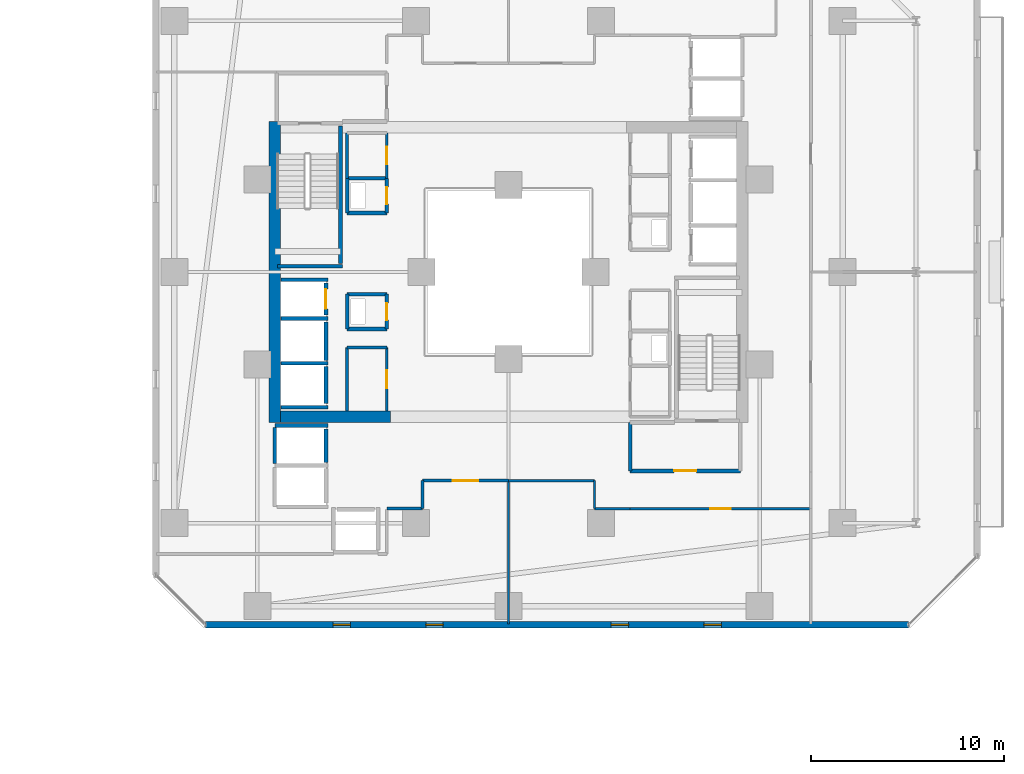
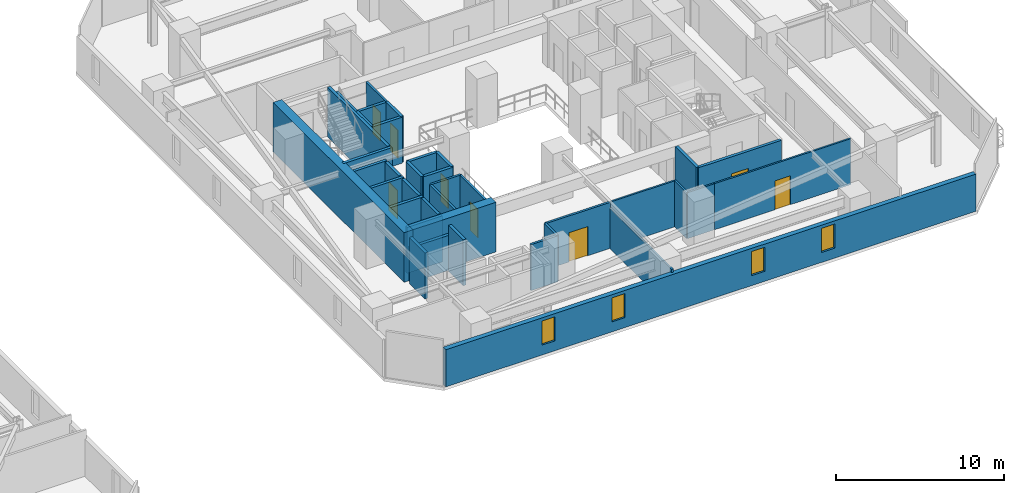
# One storey, part 24 of 34: 38 walls, 8 doors, 4 windows, 12 openings.
"""IFC4 building model written with IfcOpenShell, lengths in metres."""

from ifc_helpers import new_model, si_unit, direction, frame, frame_2d, origin, place, context, subcontext, project, spatial, rectangle, extrude, material, layer, layer_set, type_object, element, fill, save


model = new_model("IFC4")

# Units and contexts
model_context = context("Model", 3, precision=1e-05, world=origin(), true_north=direction((0.0, 1.0)))
body_context = subcontext(model_context, "Body", "Model", "MODEL_VIEW")
ifc_project = project(units=[si_unit("LENGTHUNIT", "METRE"), si_unit("AREAUNIT", "SQUARE_METRE"), si_unit("VOLUMEUNIT", "CUBIC_METRE"), si_unit("PLANEANGLEUNIT", "RADIAN"), si_unit("MASSUNIT", "GRAM", prefix="KILO")], contexts=[model_context])

# Site, building, storey
site_placement = place(None, origin())
site = spatial("IfcSite", under=ifc_project, at=site_placement, CompositionType="ELEMENT")
building_placement = place(site_placement, origin())
building = spatial("IfcBuilding", under=site, at=building_placement, Name="Thornwick Lancets Civic Towers", CompositionType="ELEMENT")
storey_placement = place(building_placement, frame((0.0, 0.0, 57.300048828125)))
storey = spatial("IfcBuildingStorey", under=building, at=storey_placement, Name="L14", CompositionType="ELEMENT", Elevation=57.300048828125)

# Wall, opening, door
ifc_material_1 = material(Name="Concrete blockwork C40/50", Category="masonry")
ifc_layer_1 = layer(ifc_material_1, 0.199951171875, Name="Concrete blockwork C40/50")
ifc_layer_set_1 = layer_set([ifc_layer_1], Name="Concrete blockwork C40/50")
wall_type_1 = type_object("IfcWallType", Name="WALL_COMP_200", PredefinedType="STANDARD", material=ifc_layer_set_1)
wall_1_placement = place(storey_placement, frame((79.050048828125, 24.780029296875, 0.0), z_axis=(0.0, 0.0, 1.0), x_axis=(0.0, 1.0, 0.0)))
wall_1 = element("IfcWall", 1, at=wall_1_placement, inside=storey, type_object=wall_type_1, Name="L14 Hoistway Front Wall FL-B2", PredefinedType="STANDARD", context=body_context, shape_type="SweptSolid", body=[
    extrude(rectangle(XDim=1.639892578125, YDim=0.199951171875, at=frame_2d((0.81982421875, 0.0))), origin(), (0.0, 0.0, 1.0), 3.33984375),
])
opening_1_placement = place(wall_1_placement, frame((0.31005859375, 0.0, 0.0)))
opening_1 = element("IfcOpeningElement", 2, at=opening_1_placement, cuts=wall_1, Name="Opening LD-FL-B2", PredefinedType="OPENING", context=body_context, shape_type="SweptSolid", body=[
    extrude(rectangle(XDim=1.02001953125, YDim=2.06005859375, at=frame_2d((0.510009765625, 1.030029296875))), frame((0.0, 0.10986328125, 0.0), z_axis=(0.0, -1.0, 0.0), x_axis=(1.0, 0.0, 0.0)), (0.0, 0.0, 1.0), 0.219970703125),
])
ifc_material_2 = material(Name="Brushed bronze stainless steel", Category="steel")
door_type_1 = type_object("IfcDoorType", Name="DOOR_LIFT_SLIDE", OperationType="SLIDING_TO_LEFT", PredefinedType="DOOR", material=ifc_material_2)
door_1_placement = place(opening_1_placement, origin())
door_1 = element("IfcDoor", 3, at=door_1_placement, inside=storey, type_object=door_type_1, Name="L14 Sliding Lift Landing Door LD-FL-B2", OperationType="SLIDING_TO_LEFT", OverallHeight=2.06005859375, OverallWidth=1.02001953125, PredefinedType="DOOR", context=body_context, shape_type="SweptSolid", body=[
    extrude(rectangle(XDim=1.02001953125, YDim=2.06005859375, at=frame_2d((0.510009765625, 1.030029296875))), frame((0.0, 0.02490234375, 0.0), z_axis=(0.0, -1.0, 0.0), x_axis=(1.0, 0.0, 0.0)), (0.0, 0.0, 1.0), 0.050048828125),
])
fill(opening_1, door_1)

# Walls
wall_2_placement = place(storey_placement, frame((79.050048828125, 22.429931640625, 0.0), z_axis=(0.0, 0.0, 1.0), x_axis=(0.0, 1.0, 0.0)))
element("IfcWall", 4, at=wall_2_placement, inside=storey, type_object=wall_type_1, Name="L14 Hoistway Front Wall PL-BH2", PredefinedType="STANDARD", context=body_context, shape_type="SweptSolid", body=[
    extrude(rectangle(XDim=1.989990234375, YDim=0.199951171875, at=frame_2d((0.9951171875, 0.0))), origin(), (0.0, 0.0, 1.0), 3.33984375),
])
wall_3_placement = place(storey_placement, frame((79.050048828125, 20.179931640625, 0.0), z_axis=(0.0, 0.0, 1.0), x_axis=(0.0, 1.0, 0.0)))
element("IfcWall", 5, at=wall_3_placement, inside=storey, type_object=wall_type_1, Name="L14 Hoistway Front Wall PL-BH3", PredefinedType="STANDARD", context=body_context, shape_type="SweptSolid", body=[
    extrude(rectangle(XDim=1.940185546875, YDim=0.199951171875, at=frame_2d((0.97021484375, 0.0))), origin(), (0.0, 0.0, 1.0), 3.33984375),
])
wall_4_placement = place(storey_placement, frame((79.050048828125, 17.1298828125, 0.0), z_axis=(0.0, 0.0, 1.0), x_axis=(0.0, 1.0, 0.0)))
element("IfcWall", 6, at=wall_4_placement, inside=storey, type_object=wall_type_1, Name="L14 Hoistway Front Wall PL-BM1", PredefinedType="STANDARD", context=body_context, shape_type="SweptSolid", body=[
    extrude(rectangle(XDim=1.740234375, YDim=0.199951171875, at=frame_2d((0.8701171875, 0.0))), origin(), (0.0, 0.0, 1.0), 3.33984375),
])
for number, where, z_axis, x_axis, name in (
    (7, (76.7119140625, 26.60009765625, 0.0), (0.0, 0.0, 1.0), (1.0, 0.0, 0.0), "L14 Hoistway Shaft Wall FL-B2 N"),
    (8, (76.7119140625, 24.60009765625, 0.0), (0.0, 0.0, 1.0), (1.0, 0.0, 0.0), "L14 Hoistway Shaft Wall FL-B2 S"),
    (9, (76.7119140625, 22.27490234375, 0.0), (0.0, 0.0, 1.0), (1.0, 0.0, 0.0), "L14 Hoistway Shaft Wall PL-BH2 S"),
    (10, (76.7119140625, 20.0, 0.0), (0.0, 0.0, 1.0), (1.0, 0.0, 0.0), "L14 Hoistway Shaft Wall PL-BH3 S"),
):
    element("IfcWall", number, at=place(storey_placement, frame(where, z_axis=z_axis, x_axis=x_axis)), inside=storey, type_object=wall_type_1, Name=name, PredefinedType="STANDARD", context=body_context, shape_type="SweptSolid", body=[
        extrude(rectangle(XDim=2.43603515625, YDim=0.199951171875, at=frame_2d((1.218017578125, 0.0))), origin(), (0.0, 0.0, 1.0), 3.33984375),
    ])
wall_5_placement = place(storey_placement, frame((76.402099609375, 19.050048828125, 0.0), z_axis=(0.0, 0.0, 1.0), x_axis=(1.0, 0.0, 0.0)))
element("IfcWall", 11, at=wall_5_placement, inside=storey, type_object=wall_type_1, Name="L14 Hoistway Shaft Wall PL-BM1 N", PredefinedType="STANDARD", context=body_context, shape_type="SweptSolid", body=[
    extrude(rectangle(XDim=2.745849609375, YDim=0.199951171875, at=frame_2d((1.373046875, 0.0))), origin(), (0.0, 0.0, 1.0), 2.544921875),
])
wall_6_placement = place(storey_placement, frame((76.39990234375, 17.08203125, 0.0), z_axis=(0.0, 0.0, 1.0), x_axis=(0.0, 1.0, 0.0)))
element("IfcWall", 12, at=wall_6_placement, inside=storey, type_object=wall_type_1, Name="L14 Hoistway Shaft Wall PL-BM1 W", PredefinedType="STANDARD", context=body_context, shape_type="SweptSolid", body=[
    extrude(rectangle(XDim=1.85595703125, YDim=0.199951171875, at=frame_2d((0.927978515625, 0.0))), origin(), (0.0, 0.0, 1.0), 3.33984375),
])

# Wall, opening, door
wall_7_placement = place(storey_placement, frame((94.800048828125, 16.699951171875, 0.0), z_axis=(0.0, 0.0, 1.0), x_axis=(1.0, 0.0, 0.0)))
wall_7 = element("IfcWall", 13, at=wall_7_placement, inside=storey, type_object=wall_type_1, Name="L14 Partition L14-B-FFLOB1 E1", PredefinedType="STANDARD", context=body_context, shape_type="SweptSolid", body=[
    extrude(rectangle(XDim=5.699951171875, YDim=0.199951171875, at=frame_2d((2.85009765625, 0.0))), origin(), (0.0, 0.0, 1.0), 3.33984375),
])
opening_2_placement = place(wall_7_placement, frame((2.27490234375, 0.0, 0.0)))
opening_2 = element("IfcOpeningElement", 14, at=opening_2_placement, cuts=wall_7, Name="Opening D-L14-0675", PredefinedType="OPENING", context=body_context, shape_type="SweptSolid", body=[
    extrude(rectangle(XDim=1.14990234375, YDim=2.10009765625, at=frame_2d((0.574951171875, 1.050048828125))), frame((0.0, 0.10986328125, 0.0), z_axis=(0.0, -1.0, 0.0), x_axis=(1.0, 0.0, 0.0)), (0.0, 0.0, 1.0), 0.219970703125),
])
ifc_material_3 = material(Name="Glazed fire-resisting steel", Category="steel")
door_type_2 = type_object("IfcDoorType", Name="DOOR_LOBBY_FD60", OperationType="NOTDEFINED", PredefinedType="DOOR", material=ifc_material_3)
door_2_placement = place(opening_2_placement, origin())
door_2 = element("IfcDoor", 15, at=door_2_placement, inside=storey, type_object=door_type_2, Name="L14 East Firefighting Lobby 1 Door", OperationType="SINGLE_SWING_RIGHT", OverallHeight=2.10009765625, OverallWidth=1.14990234375, PredefinedType="DOOR", context=body_context, shape_type="SweptSolid", body=[
    extrude(rectangle(XDim=1.14990234375, YDim=2.10009765625, at=frame_2d((0.574951171875, 1.050048828125))), frame((0.0, 0.02490234375, 0.0), z_axis=(0.0, -1.0, 0.0), x_axis=(1.0, 0.0, 0.0)), (0.0, 0.0, 1.0), 0.050048828125),
])
fill(opening_2, door_2)

# Walls
wall_8_placement = place(storey_placement, frame((94.800048828125, 19.199951171875, 0.0), z_axis=(0.0, 0.0, 1.0), x_axis=(0.0, -1.0, 0.0)))
element("IfcWall", 16, at=wall_8_placement, inside=storey, type_object=wall_type_1, Name="L14 Partition L14-B-FFLOB1 E4", PredefinedType="STANDARD", context=body_context, shape_type="SweptSolid", body=[
    extrude(rectangle(XDim=2.5, YDim=0.199951171875, at=frame_2d((1.25, 0.0))), origin(), (0.0, 0.0, 1.0), 3.33984375),
])
wall_9_placement = place(storey_placement, frame((80.14990234375, 24.050048828125, 0.0), z_axis=(0.0, 0.0, 1.0), x_axis=(1.0, 0.0, 0.0)))
element("IfcWall", 17, at=wall_9_placement, inside=storey, type_object=wall_type_1, Name="L14 Partition L14-B-DUCT2 E1", PredefinedType="STANDARD", context=body_context, shape_type="SweptSolid", body=[
    extrude(rectangle(XDim=2.050048828125, YDim=0.199951171875, at=frame_2d((1.02490234375, 0.0))), origin(), (0.0, 0.0, 1.0), 3.33984375),
])

# Wall, opening, door
wall_10_placement = place(storey_placement, frame((82.199951171875, 24.050048828125, 0.0), z_axis=(0.0, 0.0, 1.0), x_axis=(0.0, 1.0, 0.0)))
wall_10 = element("IfcWall", 18, at=wall_10_placement, inside=storey, type_object=wall_type_1, Name="L14 Partition L14-B-DUCT2 E2", PredefinedType="STANDARD", context=body_context, shape_type="SweptSolid", body=[
    extrude(rectangle(XDim=1.800048828125, YDim=0.199951171875, at=frame_2d((0.89990234375, 0.0))), origin(), (0.0, 0.0, 1.0), 3.33984375),
])
opening_3_placement = place(wall_10_placement, frame((0.4599609375, 0.0, 0.0)))
opening_3 = element("IfcOpeningElement", 19, at=opening_3_placement, cuts=wall_10, Name="Opening D-L14-0679", PredefinedType="OPENING", context=body_context, shape_type="SweptSolid", body=[
    extrude(rectangle(XDim=0.8798828125, YDim=2.0400390625, at=frame_2d((0.43994140625, 1.02001953125))), frame((0.0, 0.10986328125, 0.0), z_axis=(0.0, -1.0, 0.0), x_axis=(1.0, 0.0, 0.0)), (0.0, 0.0, 1.0), 0.219970703125),
])
ifc_material_4 = material(Name="Steel riser access doorset", Category="steel")
door_type_3 = type_object("IfcDoorType", Name="DOOR_RISER_850", OperationType="NOTDEFINED", PredefinedType="DOOR", material=ifc_material_4)
door_3_placement = place(opening_3_placement, origin())
door_3 = element("IfcDoor", 20, at=door_3_placement, inside=storey, type_object=door_type_3, Name="L14 West Service Duct 2 Door", OperationType="SINGLE_SWING_RIGHT", OverallHeight=2.0400390625, OverallWidth=0.8798828125, PredefinedType="DOOR", context=body_context, shape_type="SweptSolid", body=[
    extrude(rectangle(XDim=0.8798828125, YDim=2.0400390625, at=frame_2d((0.43994140625, 1.02001953125))), frame((0.0, 0.02490234375, 0.0), z_axis=(0.0, -1.0, 0.0), x_axis=(1.0, 0.0, 0.0)), (0.0, 0.0, 1.0), 0.050048828125),
])
fill(opening_3, door_3)

# Walls
wall_11_placement = place(storey_placement, frame((82.199951171875, 25.85009765625, 0.0), z_axis=(0.0, 0.0, 1.0), x_axis=(-1.0, 0.0, 0.0)))
element("IfcWall", 21, at=wall_11_placement, inside=storey, type_object=wall_type_1, Name="L14 Partition L14-B-DUCT2 E3", PredefinedType="STANDARD", context=body_context, shape_type="SweptSolid", body=[
    extrude(rectangle(XDim=2.050048828125, YDim=0.199951171875, at=frame_2d((1.02490234375, 0.0))), origin(), (0.0, 0.0, 1.0), 3.33984375),
])
wall_12_placement = place(storey_placement, frame((80.14990234375, 25.85009765625, 0.0), z_axis=(0.0, 0.0, 1.0), x_axis=(0.0, -1.0, 0.0)))
element("IfcWall", 22, at=wall_12_placement, inside=storey, type_object=wall_type_1, Name="L14 Partition L14-B-DUCT2 E4", PredefinedType="STANDARD", context=body_context, shape_type="SweptSolid", body=[
    extrude(rectangle(XDim=1.800048828125, YDim=0.199951171875, at=frame_2d((0.89990234375, 0.0))), origin(), (0.0, 0.0, 1.0), 3.33984375),
])
wall_13_placement = place(storey_placement, frame((80.14990234375, 30.050048828125, 0.0), z_axis=(0.0, 0.0, 1.0), x_axis=(1.0, 0.0, 0.0)))
element("IfcWall", 23, at=wall_13_placement, inside=storey, type_object=wall_type_1, Name="L14 Partition L14-B-RISER2 E1", PredefinedType="STANDARD", context=body_context, shape_type="SweptSolid", body=[
    extrude(rectangle(XDim=2.050048828125, YDim=0.199951171875, at=frame_2d((1.02490234375, 0.0))), origin(), (0.0, 0.0, 1.0), 3.33984375),
])

# Wall, opening, door
wall_14_placement = place(storey_placement, frame((82.199951171875, 30.050048828125, 0.0), z_axis=(0.0, 0.0, 1.0), x_axis=(0.0, 1.0, 0.0)))
wall_14 = element("IfcWall", 24, at=wall_14_placement, inside=storey, type_object=wall_type_1, Name="L14 Partition L14-B-RISER2 E2", PredefinedType="STANDARD", context=body_context, shape_type="SweptSolid", body=[
    extrude(rectangle(XDim=1.800048828125, YDim=0.199951171875, at=frame_2d((0.89990234375, 0.0))), origin(), (0.0, 0.0, 1.0), 3.33984375),
])
opening_4_placement = place(wall_14_placement, frame((0.4599609375, 0.0, 0.0)))
opening_4 = element("IfcOpeningElement", 25, at=opening_4_placement, cuts=wall_14, Name="Opening D-L14-0680", PredefinedType="OPENING", context=body_context, shape_type="SweptSolid", body=[
    extrude(rectangle(XDim=0.8798828125, YDim=2.0400390625, at=frame_2d((0.43994140625, 1.02001953125))), frame((0.0, 0.10986328125, 0.0), z_axis=(0.0, -1.0, 0.0), x_axis=(1.0, 0.0, 0.0)), (0.0, 0.0, 1.0), 0.219970703125),
])
door_4_placement = place(opening_4_placement, origin())
door_4 = element("IfcDoor", 26, at=door_4_placement, inside=storey, type_object=door_type_3, Name="L14 West Service Riser 2 Door", OperationType="SINGLE_SWING_LEFT", OverallHeight=2.0400390625, OverallWidth=0.8798828125, PredefinedType="DOOR", context=body_context, shape_type="SweptSolid", body=[
    extrude(rectangle(XDim=0.8798828125, YDim=2.0400390625, at=frame_2d((0.43994140625, 1.02001953125))), frame((0.0, 0.02490234375, 0.0), z_axis=(0.0, -1.0, 0.0), x_axis=(1.0, 0.0, 0.0)), (0.0, 0.0, 1.0), 0.050048828125),
])
fill(opening_4, door_4)

# Walls
wall_15_placement = place(storey_placement, frame((82.199951171875, 31.85009765625, 0.0), z_axis=(0.0, 0.0, 1.0), x_axis=(-1.0, 0.0, 0.0)))
element("IfcWall", 27, at=wall_15_placement, inside=storey, type_object=wall_type_1, Name="L14 Partition L14-B-RISER2 E3", PredefinedType="STANDARD", context=body_context, shape_type="SweptSolid", body=[
    extrude(rectangle(XDim=2.050048828125, YDim=0.199951171875, at=frame_2d((1.02490234375, 0.0))), origin(), (0.0, 0.0, 1.0), 3.33984375),
])
wall_16_placement = place(storey_placement, frame((80.14990234375, 31.85009765625, 0.0), z_axis=(0.0, 0.0, 1.0), x_axis=(0.0, -1.0, 0.0)))
element("IfcWall", 28, at=wall_16_placement, inside=storey, type_object=wall_type_1, Name="L14 Partition L14-B-RISER2 E4", PredefinedType="STANDARD", context=body_context, shape_type="SweptSolid", body=[
    extrude(rectangle(XDim=1.800048828125, YDim=0.199951171875, at=frame_2d((0.89990234375, 0.0))), origin(), (0.0, 0.0, 1.0), 3.33984375),
])
ifc_material_5 = material(Name="Concrete C60/75", Category="concrete")
ifc_layer_2 = layer(ifc_material_5, 0.60009765625, Name="Concrete C60/75")
ifc_layer_set_2 = layer_set([ifc_layer_2], Name="Concrete C60/75")
wall_type_2 = type_object("IfcWallType", Name="WALL_CORE_600", PredefinedType="SHEAR", material=ifc_layer_set_2)
wall_17_placement = place(storey_placement, frame((76.39990234375, 19.199951171875, 0.0), z_axis=(0.0, 0.0, 1.0), x_axis=(0.0, 1.0, 0.0)))
element("IfcWall", 29, at=wall_17_placement, inside=storey, type_object=wall_type_2, Name="L14 Split Core B2 Shear Wall W", PredefinedType="SHEAR", context=body_context, shape_type="SweptSolid", body=[
    extrude(rectangle(XDim=15.60009765625, YDim=0.60009765625, at=frame_2d((7.800048828125, 0.0))), origin(), (0.0, 0.0, 1.0), 3.599853515625),
])
wall_18_placement = place(storey_placement, frame((76.699951171875, 19.5, 0.0), z_axis=(0.0, 0.0, 1.0), x_axis=(1.0, 0.0, 0.0)))
element("IfcWall", 30, at=wall_18_placement, inside=storey, type_object=wall_type_2, Name="L14 Split Core B2 Shear Wall S", PredefinedType="SHEAR", context=body_context, shape_type="SweptSolid", body=[
    extrude(rectangle(XDim=5.699951171875, YDim=0.60009765625, at=frame_2d((2.85009765625, 0.0))), origin(), (0.0, 0.0, 1.0), 3.599853515625),
])

# Wall, openings, windows
ifc_material_6 = material(Name="Insulated buff terracotta rainscreen on concrete C40/50", Category="masonry")
ifc_layer_3 = layer(ifc_material_6, 0.320068359375, Name="Insulated buff terracotta rainscreen on concrete C40/50")
ifc_layer_set_3 = layer_set([ifc_layer_3], Name="Insulated buff terracotta rainscreen on concrete C40/50")
wall_type_3 = type_object("IfcWallType", Name="WALL_EXT_TERRA_320", PredefinedType="STANDARD", material=ifc_layer_set_3)
wall_19_placement = place(storey_placement, frame((72.81884765625, 8.735107421875, 0.0), z_axis=(0.0, 0.0, 1.0), x_axis=(0.999999996195, 8.7231344e-05, 0.0)))
wall_19 = element("IfcWall", 31, at=wall_19_placement, inside=storey, type_object=wall_type_3, Name="L14 Tower B Terracotta Facade Wall E0", PredefinedType="STANDARD", context=body_context, shape_type="SweptSolid", body=[
    extrude(rectangle(XDim=36.384033203125, YDim=0.320068359375, at=frame_2d((18.19189453125, 0.0))), origin(), (0.0, 0.0, 1.0), 2.699951171875),
])
opening_5_placement = place(wall_19_placement, frame((6.60009765625, 0.0, 0.719970703125)))
opening_5 = element("IfcOpeningElement", 32, at=opening_5_placement, cuts=wall_19, Name="Opening WL-01", PredefinedType="OPENING", context=body_context, shape_type="SweptSolid", body=[
    extrude(rectangle(XDim=0.89990234375, YDim=1.75, at=frame_2d((0.449951171875, 0.875))), frame((0.0, 0.169921875, 0.0), z_axis=(0.0, -1.0, 0.0), x_axis=(1.0, 0.0, 0.0)), (0.0, 0.0, 1.0), 0.340087890625),
])
opening_6_placement = place(wall_19_placement, frame((11.39990234375, 0.0, 0.719970703125)))
opening_6 = element("IfcOpeningElement", 33, at=opening_6_placement, cuts=wall_19, Name="Opening WL-01", PredefinedType="OPENING", context=body_context, shape_type="SweptSolid", body=[
    extrude(rectangle(XDim=0.89990234375, YDim=1.75, at=frame_2d((0.449951171875, 0.875))), frame((0.0, 0.169921875, 0.0), z_axis=(0.0, -1.0, 0.0), x_axis=(1.0, 0.0, 0.0)), (0.0, 0.0, 1.0), 0.340087890625),
])
opening_7_placement = place(wall_19_placement, frame((21.0, 0.0, 0.719970703125)))
opening_7 = element("IfcOpeningElement", 34, at=opening_7_placement, cuts=wall_19, Name="Opening WL-01", PredefinedType="OPENING", context=body_context, shape_type="SweptSolid", body=[
    extrude(rectangle(XDim=0.89990234375, YDim=1.75, at=frame_2d((0.449951171875, 0.875))), frame((0.0, 0.169921875, 0.0), z_axis=(0.0, -1.0, 0.0), x_axis=(1.0, 0.0, 0.0)), (0.0, 0.0, 1.0), 0.340087890625),
])
opening_8_placement = place(wall_19_placement, frame((25.800048828125, 0.0, 0.719970703125)))
opening_8 = element("IfcOpeningElement", 35, at=opening_8_placement, cuts=wall_19, Name="Opening WL-01", PredefinedType="OPENING", context=body_context, shape_type="SweptSolid", body=[
    extrude(rectangle(XDim=0.89990234375, YDim=1.75, at=frame_2d((0.449951171875, 0.875))), frame((0.0, 0.169921875, 0.0), z_axis=(0.0, -1.0, 0.0), x_axis=(1.0, 0.0, 0.0)), (0.0, 0.0, 1.0), 0.340087890625),
])
ifc_material_7 = material(Name="Clear low-e double glazing in bronze frame", Category="glass")
window_type = type_object("IfcWindowType", Name="WIN_LANCET_900", PartitioningType="SINGLE_PANEL", PredefinedType="WINDOW", material=ifc_material_7)
window_1_placement = place(opening_5_placement, origin())
window_1 = element("IfcWindow", 36, at=window_1_placement, inside=storey, type_object=window_type, Name="L14 Tower B Staggered Lancet Window E0-1", OverallHeight=1.75, OverallWidth=0.89990234375, PartitioningType="SINGLE_PANEL", PredefinedType="WINDOW", context=body_context, shape_type="SweptSolid", body=[
    extrude(rectangle(XDim=0.89990234375, YDim=1.75, at=frame_2d((0.449951171875, 0.875))), frame((0.0, 0.030029296875, 0.0), z_axis=(0.0, -1.0, 0.0), x_axis=(1.0, 0.0, 0.0)), (0.0, 0.0, 1.0), 0.06005859375),
])
fill(opening_5, window_1)
window_2_placement = place(opening_6_placement, origin())
window_2 = element("IfcWindow", 37, at=window_2_placement, inside=storey, type_object=window_type, Name="L14 Tower B Staggered Lancet Window E0-2", OverallHeight=1.75, OverallWidth=0.89990234375, PartitioningType="SINGLE_PANEL", PredefinedType="WINDOW", context=body_context, shape_type="SweptSolid", body=[
    extrude(rectangle(XDim=0.89990234375, YDim=1.75, at=frame_2d((0.449951171875, 0.875))), frame((0.0, 0.030029296875, 0.0), z_axis=(0.0, -1.0, 0.0), x_axis=(1.0, 0.0, 0.0)), (0.0, 0.0, 1.0), 0.06005859375),
])
fill(opening_6, window_2)
window_3_placement = place(opening_7_placement, origin())
window_3 = element("IfcWindow", 38, at=window_3_placement, inside=storey, type_object=window_type, Name="L14 Tower B Staggered Lancet Window E0-3", OverallHeight=1.75, OverallWidth=0.89990234375, PartitioningType="SINGLE_PANEL", PredefinedType="WINDOW", context=body_context, shape_type="SweptSolid", body=[
    extrude(rectangle(XDim=0.89990234375, YDim=1.75, at=frame_2d((0.449951171875, 0.875))), frame((0.0, 0.030029296875, 0.0), z_axis=(0.0, -1.0, 0.0), x_axis=(1.0, 0.0, 0.0)), (0.0, 0.0, 1.0), 0.06005859375),
])
fill(opening_7, window_3)
window_4_placement = place(opening_8_placement, origin())
window_4 = element("IfcWindow", 39, at=window_4_placement, inside=storey, type_object=window_type, Name="L14 Tower B Staggered Lancet Window E0-4", OverallHeight=1.75, OverallWidth=0.89990234375, PartitioningType="SINGLE_PANEL", PredefinedType="WINDOW", context=body_context, shape_type="SweptSolid", body=[
    extrude(rectangle(XDim=0.89990234375, YDim=1.75, at=frame_2d((0.449951171875, 0.875))), frame((0.0, 0.030029296875, 0.0), z_axis=(0.0, -1.0, 0.0), x_axis=(1.0, 0.0, 0.0)), (0.0, 0.0, 1.0), 0.06005859375),
])
fill(opening_8, window_4)

# Walls
ifc_material_8 = material(Name="Acoustic gypsum board partition")
ifc_layer_4 = layer(ifc_material_8, 0.1201171875, Name="Acoustic gypsum board partition")
ifc_layer_set_4 = layer_set([ifc_layer_4], Name="Acoustic gypsum board partition")
wall_type_4 = type_object("IfcWallType", Name="WALL_PART_120", PredefinedType="PARTITIONING", material=ifc_layer_set_4)
wall_20_placement = place(storey_placement, frame((92.949951171875, 16.199951171875, 0.0), z_axis=(0.0, 0.0, 1.0), x_axis=(0.0, -1.0, 0.0)))
element("IfcWall", 40, at=wall_20_placement, inside=storey, type_object=wall_type_4, Name="L14 Partition L14-B-W1 E1", PredefinedType="PARTITIONING", context=body_context, shape_type="SweptSolid", body=[
    extrude(rectangle(XDim=1.449951171875, YDim=0.1201171875, at=frame_2d((0.72509765625, 0.0))), origin(), (0.0, 0.0, 1.0), 3.33984375),
])
wall_21_placement = place(storey_placement, frame((92.949951171875, 14.75, 0.0), z_axis=(0.0, 0.0, 1.0), x_axis=(1.0, 0.0, 0.0)))
element("IfcWall", 41, at=wall_21_placement, inside=storey, type_object=wall_type_4, Name="L14 Partition L14-B-W1 E2", PredefinedType="PARTITIONING", context=body_context, shape_type="SweptSolid", body=[
    extrude(rectangle(XDim=1.85009765625, YDim=0.1201171875, at=frame_2d((0.925048828125, 0.0))), origin(), (0.0, 0.0, 1.0), 3.33984375),
])

# Wall, opening, door
wall_22_placement = place(storey_placement, frame((94.800048828125, 14.75, 0.0), z_axis=(0.0, 0.0, 1.0), x_axis=(1.0, 0.0, 0.0)))
wall_22 = element("IfcWall", 42, at=wall_22_placement, inside=storey, type_object=wall_type_4, Name="L14 Partition L14-B-W1 E3", PredefinedType="PARTITIONING", context=body_context, shape_type="SweptSolid", body=[
    extrude(rectangle(XDim=9.349853515625, YDim=0.1201171875, at=frame_2d((4.6748046875, 0.0))), origin(), (0.0, 0.0, 1.0), 3.33984375),
])
opening_9_placement = place(wall_22_placement, frame((4.14990234375, 0.0, 0.0)))
opening_9 = element("IfcOpeningElement", 43, at=opening_9_placement, cuts=wall_22, Name="Opening D-L14-0693", PredefinedType="OPENING", context=body_context, shape_type="SweptSolid", body=[
    extrude(rectangle(XDim=1.050048828125, YDim=2.10009765625, at=frame_2d((0.52490234375, 1.050048828125))), frame((0.0, 0.070068359375, 0.0), z_axis=(0.0, -1.0, 0.0), x_axis=(1.0, 0.0, 0.0)), (0.0, 0.0, 1.0), 0.14013671875),
])
ifc_material_9 = material(Name="Glazed European oak executive doorset")
door_type_4 = type_object("IfcDoorType", Name="DOOR_OFFICE_1050", OperationType="NOTDEFINED", PredefinedType="DOOR", material=ifc_material_9)
door_5_placement = place(opening_9_placement, origin())
door_5 = element("IfcDoor", 44, at=door_5_placement, inside=storey, type_object=door_type_4, Name="L14 Tower B Ministry Directorate Office W1 Door", OperationType="SINGLE_SWING_RIGHT", OverallHeight=2.10009765625, OverallWidth=1.050048828125, PredefinedType="DOOR", context=body_context, shape_type="SweptSolid", body=[
    extrude(rectangle(XDim=1.050048828125, YDim=2.10009765625, at=frame_2d((0.52490234375, 1.050048828125))), frame((0.0, 0.02490234375, 0.0), z_axis=(0.0, -1.0, 0.0), x_axis=(1.0, 0.0, 0.0)), (0.0, 0.0, 1.0), 0.050048828125),
])
fill(opening_9, door_5)

# Walls
wall_23_placement = place(storey_placement, frame((88.5, 8.780029296875, 0.0), z_axis=(0.0, 0.0, 1.0), x_axis=(0.0, 1.0, 0.0)))
element("IfcWall", 45, at=wall_23_placement, inside=storey, type_object=wall_type_4, Name="L14 Partition L14-B-W1 E6", PredefinedType="PARTITIONING", context=body_context, shape_type="SweptSolid", body=[
    extrude(rectangle(XDim=7.419921875, YDim=0.1201171875, at=frame_2d((3.7099609375, 0.0))), origin(), (0.0, 0.0, 1.0), 2.93212890625),
])
wall_24_placement = place(storey_placement, frame((88.5, 16.199951171875, 0.0), z_axis=(0.0, 0.0, 1.0), x_axis=(1.0, 0.0, 0.0)))
element("IfcWall", 46, at=wall_24_placement, inside=storey, type_object=wall_type_4, Name="L14 Partition L14-B-W1 E7", PredefinedType="PARTITIONING", context=body_context, shape_type="SweptSolid", body=[
    extrude(rectangle(XDim=4.449951171875, YDim=0.1201171875, at=frame_2d((2.22509765625, 0.0))), origin(), (0.0, 0.0, 1.0), 3.33984375),
])

# Wall, opening, door
ifc_material_10 = material(Name="Twin-stud acoustic gypsum board")
ifc_layer_5 = layer(ifc_material_10, 0.14990234375, Name="Twin-stud acoustic gypsum board")
ifc_layer_set_5 = layer_set([ifc_layer_5], Name="Twin-stud acoustic gypsum board")
wall_type_5 = type_object("IfcWallType", Name="WALL_PART_150", PredefinedType="PARTITIONING", material=ifc_layer_set_5)
wall_25_placement = place(storey_placement, frame((82.199951171875, 19.800048828125, 0.0), z_axis=(0.0, 0.0, 1.0), x_axis=(0.0, 1.0, 0.0)))
wall_25 = element("IfcWall", 47, at=wall_25_placement, inside=storey, type_object=wall_type_5, Name="L14 Partition L14-B-MWC E2", PredefinedType="PARTITIONING", context=body_context, shape_type="SweptSolid", body=[
    extrude(rectangle(XDim=3.300048828125, YDim=0.14990234375, at=frame_2d((1.64990234375, 0.0))), origin(), (0.0, 0.0, 1.0), 3.33984375),
])
opening_10_placement = place(wall_25_placement, frame((1.18994140625, 0.0, 0.0)))
opening_10 = element("IfcOpeningElement", 48, at=opening_10_placement, cuts=wall_25, Name="Opening D-L14-0685", PredefinedType="OPENING", context=body_context, shape_type="SweptSolid", body=[
    extrude(rectangle(XDim=0.919921875, YDim=2.080078125, at=frame_2d((0.4599609375, 1.0400390625))), frame((0.0, 0.0849609375, 0.0), z_axis=(0.0, -1.0, 0.0), x_axis=(1.0, 0.0, 0.0)), (0.0, 0.0, 1.0), 0.169921875),
])
ifc_material_11 = material(Name="Moisture-resistant oak doorset")
door_type_5 = type_object("IfcDoorType", Name="DOOR_WC_900", OperationType="NOTDEFINED", PredefinedType="DOOR", material=ifc_material_11)
door_6_placement = place(opening_10_placement, origin())
door_6 = element("IfcDoor", 49, at=door_6_placement, inside=storey, type_object=door_type_5, Name="L14 Tower B Male WC Door", OperationType="SINGLE_SWING_RIGHT", OverallHeight=2.080078125, OverallWidth=0.919921875, PredefinedType="DOOR", context=body_context, shape_type="SweptSolid", body=[
    extrude(rectangle(XDim=0.919921875, YDim=2.080078125, at=frame_2d((0.4599609375, 1.0400390625))), frame((0.0, 0.02490234375, 0.0), z_axis=(0.0, -1.0, 0.0), x_axis=(1.0, 0.0, 0.0)), (0.0, 0.0, 1.0), 0.050048828125),
])
fill(opening_10, door_6)

# Walls
wall_26_placement = place(storey_placement, frame((82.199951171875, 23.10009765625, 0.0), z_axis=(0.0, 0.0, 1.0), x_axis=(-1.0, 0.0, 0.0)))
element("IfcWall", 50, at=wall_26_placement, inside=storey, type_object=wall_type_5, Name="L14 Partition L14-B-MWC E3", PredefinedType="PARTITIONING", context=body_context, shape_type="SweptSolid", body=[
    extrude(rectangle(XDim=2.050048828125, YDim=0.14990234375, at=frame_2d((1.02490234375, 0.0))), origin(), (0.0, 0.0, 1.0), 3.33984375),
])
wall_27_placement = place(storey_placement, frame((80.14990234375, 23.10009765625, 0.0), z_axis=(0.0, 0.0, 1.0), x_axis=(0.0, -1.0, 0.0)))
element("IfcWall", 51, at=wall_27_placement, inside=storey, type_object=wall_type_5, Name="L14 Partition L14-B-MWC E4", PredefinedType="PARTITIONING", context=body_context, shape_type="SweptSolid", body=[
    extrude(rectangle(XDim=3.300048828125, YDim=0.14990234375, at=frame_2d((1.64990234375, 0.0))), origin(), (0.0, 0.0, 1.0), 3.33984375),
])
wall_28_placement = place(storey_placement, frame((80.14990234375, 31.85009765625, 0.0), z_axis=(0.0, 0.0, 1.0), x_axis=(0.0, 1.0, 0.0)))
element("IfcWall", 52, at=wall_28_placement, inside=storey, type_object=wall_type_5, Name="L14 Partition L14-B-FWC E1", PredefinedType="PARTITIONING", context=body_context, shape_type="SweptSolid", body=[
    extrude(rectangle(XDim=2.349853515625, YDim=0.14990234375, at=frame_2d((1.1748046875, 0.0))), origin(), (0.0, 0.0, 1.0), 3.33984375),
])

# Wall, opening, door
wall_29_placement = place(storey_placement, frame((82.199951171875, 34.199951171875, 0.0), z_axis=(0.0, 0.0, 1.0), x_axis=(0.0, -1.0, 0.0)))
wall_29 = element("IfcWall", 53, at=wall_29_placement, inside=storey, type_object=wall_type_5, Name="L14 Partition L14-B-FWC E3", PredefinedType="PARTITIONING", context=body_context, shape_type="SweptSolid", body=[
    extrude(rectangle(XDim=2.349853515625, YDim=0.14990234375, at=frame_2d((1.1748046875, 0.0))), origin(), (0.0, 0.0, 1.0), 3.33984375),
])
opening_11_placement = place(wall_29_placement, frame((0.715087890625, 0.0, 0.0)))
opening_11 = element("IfcOpeningElement", 54, at=opening_11_placement, cuts=wall_29, Name="Opening D-L14-0686", PredefinedType="OPENING", context=body_context, shape_type="SweptSolid", body=[
    extrude(rectangle(XDim=0.919921875, YDim=2.080078125, at=frame_2d((0.4599609375, 1.0400390625))), frame((0.0, 0.0849609375, 0.0), z_axis=(0.0, -1.0, 0.0), x_axis=(1.0, 0.0, 0.0)), (0.0, 0.0, 1.0), 0.169921875),
])
door_7_placement = place(opening_11_placement, origin())
door_7 = element("IfcDoor", 55, at=door_7_placement, inside=storey, type_object=door_type_5, Name="L14 Tower B Female WC Door", OperationType="SINGLE_SWING_LEFT", OverallHeight=2.080078125, OverallWidth=0.919921875, PredefinedType="DOOR", context=body_context, shape_type="SweptSolid", body=[
    extrude(rectangle(XDim=0.919921875, YDim=2.080078125, at=frame_2d((0.4599609375, 1.0400390625))), frame((0.0, 0.02490234375, 0.0), z_axis=(0.0, -1.0, 0.0), x_axis=(1.0, 0.0, 0.0)), (0.0, 0.0, 1.0), 0.050048828125),
])
fill(opening_11, door_7)

# Walls
wall_30_placement = place(storey_placement, frame((82.199951171875, 14.75, 0.0), z_axis=(0.0, 0.0, 1.0), x_axis=(1.0, 0.0, 0.0)))
element("IfcWall", 56, at=wall_30_placement, inside=storey, type_object=wall_type_5, Name="L14 Partition L14-B-W2 E2", PredefinedType="PARTITIONING", context=body_context, shape_type="SweptSolid", body=[
    extrude(rectangle(XDim=1.85009765625, YDim=0.14990234375, at=frame_2d((0.925048828125, 0.0))), origin(), (0.0, 0.0, 1.0), 3.33984375),
])
wall_31_placement = place(storey_placement, frame((84.050048828125, 14.75, 0.0), z_axis=(0.0, 0.0, 1.0), x_axis=(0.0, 1.0, 0.0)))
element("IfcWall", 57, at=wall_31_placement, inside=storey, type_object=wall_type_5, Name="L14 Partition L14-B-W2 E3", PredefinedType="PARTITIONING", context=body_context, shape_type="SweptSolid", body=[
    extrude(rectangle(XDim=1.449951171875, YDim=0.14990234375, at=frame_2d((0.72509765625, 0.0))), origin(), (0.0, 0.0, 1.0), 3.33984375),
])

# Wall, opening, door
wall_32_placement = place(storey_placement, frame((84.050048828125, 16.199951171875, 0.0), z_axis=(0.0, 0.0, 1.0), x_axis=(1.0, 0.0, 0.0)))
wall_32 = element("IfcWall", 58, at=wall_32_placement, inside=storey, type_object=wall_type_5, Name="L14 Partition L14-B-W2 E4", PredefinedType="PARTITIONING", context=body_context, shape_type="SweptSolid", body=[
    extrude(rectangle(XDim=4.449951171875, YDim=0.14990234375, at=frame_2d((2.22509765625, 0.0))), origin(), (0.0, 0.0, 1.0), 3.33984375),
])
opening_12_placement = place(wall_32_placement, frame((1.574951171875, 0.0, 0.0)))
opening_12 = element("IfcOpeningElement", 59, at=opening_12_placement, cuts=wall_32, Name="Opening D-L14-0694", PredefinedType="OPENING", context=body_context, shape_type="SweptSolid", body=[
    extrude(rectangle(XDim=1.300048828125, YDim=2.1201171875, at=frame_2d((0.64990234375, 1.06005859375))), frame((0.0, 0.0849609375, 0.0), z_axis=(0.0, -1.0, 0.0), x_axis=(1.0, 0.0, 0.0)), (0.0, 0.0, 1.0), 0.169921875),
])
ifc_material_12 = material(Name="Acoustic oak leaf-and-a-half doorset")
door_type_6 = type_object("IfcDoorType", Name="DOOR_MEET_1300", OperationType="DOUBLE_DOOR_SINGLE_SWING", PredefinedType="DOOR", material=ifc_material_12)
door_8_placement = place(opening_12_placement, origin())
door_8 = element("IfcDoor", 60, at=door_8_placement, inside=storey, type_object=door_type_6, Name="L14 Tower B Policy Briefing Room W2 Door", OperationType="DOUBLE_DOOR_SINGLE_SWING", OverallHeight=2.1201171875, OverallWidth=1.300048828125, PredefinedType="DOOR", context=body_context, shape_type="SweptSolid", body=[
    extrude(rectangle(XDim=1.300048828125, YDim=2.1201171875, at=frame_2d((0.64990234375, 1.06005859375))), frame((0.0, 0.02490234375, 0.0), z_axis=(0.0, -1.0, 0.0), x_axis=(1.0, 0.0, 0.0)), (0.0, 0.0, 1.0), 0.050048828125),
])
fill(opening_12, door_8)

# Walls
ifc_material_13 = material(Name="Concrete C40/50", Category="concrete")
ifc_layer_6 = layer(ifc_material_13, 0.199951171875, Name="Concrete C40/50")
ifc_layer_set_6 = layer_set([ifc_layer_6], Name="Concrete C40/50")
wall_type_6 = type_object("IfcWallType", Name="WALL_SHAFT_200", PredefinedType="SHEAR", material=ifc_layer_set_6)
wall_33_placement = place(storey_placement, frame((79.89990234375, 27.300048828125, 0.0), z_axis=(0.0, 0.0, 1.0), x_axis=(-1.0, 0.0, 0.0)))
element("IfcWall", 61, at=wall_33_placement, inside=storey, type_object=wall_type_6, Name="L14 ST-B2 Fire Stair Core Wall FAR", PredefinedType="SHEAR", context=body_context, shape_type="SweptSolid", body=[
    extrude(rectangle(XDim=3.349853515625, YDim=0.199951171875, at=frame_2d((1.6748046875, 0.0))), origin(), (0.0, 0.0, 1.0), 3.599853515625),
])
wall_34_placement = place(storey_placement, frame((79.797119140625, 27.449951171875, 0.0), z_axis=(0.0, 0.0, 1.0), x_axis=(0.0, 1.0, 0.0)))
element("IfcWall", 62, at=wall_34_placement, inside=storey, type_object=wall_type_6, Name="L14 ST-B2 Fire Stair Core Wall RIGHT", PredefinedType="SHEAR", context=body_context, shape_type="SweptSolid", body=[
    extrude(rectangle(XDim=7.10009765625, YDim=0.199951171875, at=frame_2d((3.550048828125, 0.0))), origin(), (0.0, 0.0, 1.0), 3.599853515625),
])

save(model, "model.ifc")
